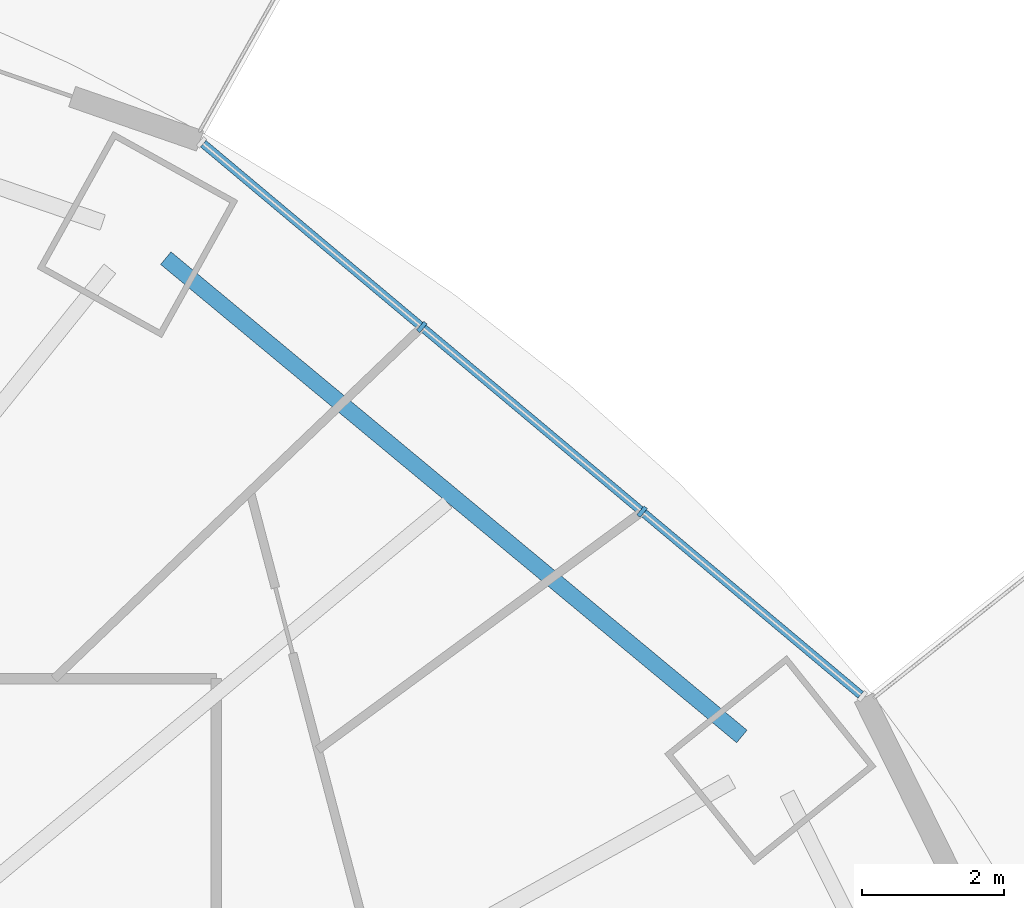
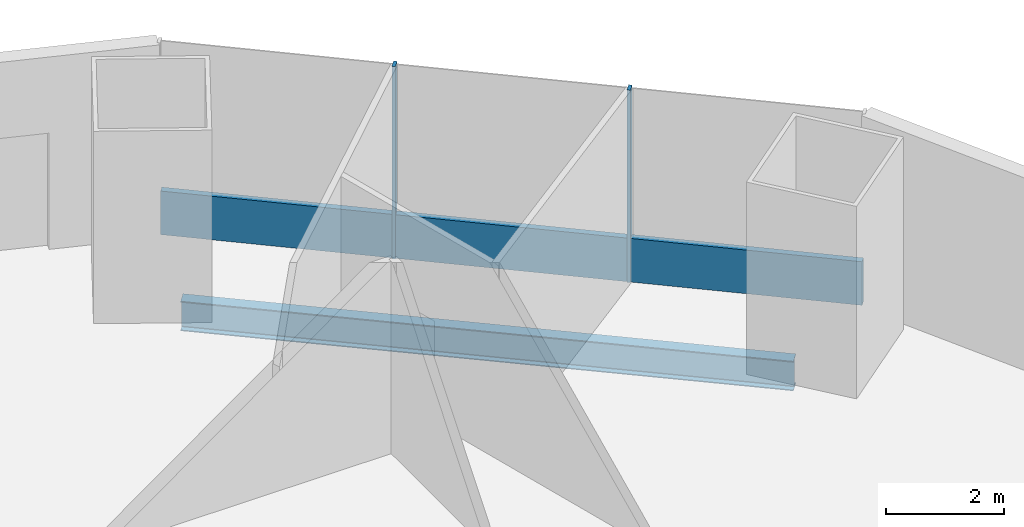
# One storey, part 10 of 21: 3 members, 1 beam, 1 element without a shape of its own.
"""IFC4 building model written with IfcOpenShell, lengths in metres."""

from ifc_helpers import new_model, si_unit, direction, frame, origin, origin_2d, place, context, subcontext, project, spatial, rectangle, i_section, extrude, material, material_profile, profile_set, type_object, element, aggregate, save


model = new_model("IFC4")

# Units and contexts
model_context = context("Model", 3, precision=1e-05, world=origin(), true_north=direction((0.0, 1.0)))
body_context = subcontext(model_context, "Body", "Model", "MODEL_VIEW")
ifc_project = project(units=[si_unit("LENGTHUNIT", "METRE"), si_unit("AREAUNIT", "SQUARE_METRE"), si_unit("VOLUMEUNIT", "CUBIC_METRE"), si_unit("PLANEANGLEUNIT", "RADIAN"), si_unit("MASSUNIT", "GRAM", prefix="KILO")], contexts=[model_context])

# Site, building, storey
site_placement = place(None, origin())
site = spatial("IfcSite", under=ifc_project, at=site_placement, CompositionType="ELEMENT")
building_placement = place(site_placement, origin())
building = spatial("IfcBuilding", under=site, at=building_placement, Name="Marenthal Gate Tower", CompositionType="ELEMENT")
storey_placement = place(building_placement, frame((0.0, 0.0, 120.14990234375)))
storey = spatial("IfcBuildingStorey", under=building, at=storey_placement, Name="L25", CompositionType="ELEMENT", Elevation=120.14990234375)

# Curtain wall, members
ifc_material_1 = material(Name="Aluminium and glass", Category="aluminium")
curtain_wall_type = type_object("IfcCurtainWallType", Name="Curtain wall typical low", PredefinedType="NOTDEFINED", material=ifc_material_1)
curtain_wall_placement = place(storey_placement, origin())
curtain_wall = element("IfcCurtainWall", 1, at=curtain_wall_placement, inside=storey, type_object=curtain_wall_type, Name="Curtain wall L25 bay 2", PredefinedType="NOTDEFINED")
ifc_material_2 = material(Name="Aluminium", Category="aluminium")
ifc_material_profile_1 = material_profile(ifc_material_2, rectangle(XDim=0.159912109375, YDim=0.06005859375, at=origin_2d()), Name="60x160 aluminium mullion")
ifc_profile_set_1 = profile_set([ifc_material_profile_1], Name="Aluminium")
member_type_1 = type_object("IfcMemberType", Name="Mullion 60x160 typical low", PredefinedType="MULLION", material=ifc_profile_set_1)
member_1_placement = place(storey_placement, frame((24.975830078125, 18.345947265625, 0.0), z_axis=(0.0, 0.0, 1.0), x_axis=(-0.642437868504, -0.766337774817, 0.0)))
member_1 = element("IfcMember", 2, at=member_1_placement, type_object=member_type_1, Name="Mullion L25 bay 2.2", PredefinedType="MULLION", context=body_context, shape_type="SweptSolid", body=[
    extrude(rectangle(XDim=0.159912109375, YDim=0.06005859375, at=origin_2d()), origin(), (0.0, 0.0, 1.0), 3.97021484375),
])
member_2_placement = place(storey_placement, frame((21.884033203125, 20.937744140625, 0.0), z_axis=(0.0, 0.0, 1.0), x_axis=(-0.642437868504, -0.766337774817, 0.0)))
member_2 = element("IfcMember", 3, at=member_2_placement, type_object=member_type_1, Name="Mullion L25 bay 2.3", PredefinedType="MULLION", context=body_context, shape_type="SweptSolid", body=[
    extrude(rectangle(XDim=0.159912109375, YDim=0.06005859375, at=origin_2d()), origin(), (0.0, 0.0, 1.0), 3.97021484375),
])
ifc_material_3 = material(Name="Aluminium", Category="aluminium")
ifc_material_profile_2 = material_profile(ifc_material_3, rectangle(XDim=0.1201171875, YDim=0.89990234375, at=origin_2d()), Name="120x900 aluminium transom")
ifc_profile_set_2 = profile_set([ifc_material_profile_2], Name="Aluminium")
member_type_2 = type_object("IfcMemberType", Name="Transom 120x900 typical low", PredefinedType="USERDEFINED", material=ifc_profile_set_2)
member_3_placement = place(storey_placement, frame((28.04443359375, 15.7734375, 0.4501953125), z_axis=(-0.766340278264, 0.642434882233, 0.0), x_axis=(-0.642434882233, -0.766340278264, 0.0)))
member_3 = element("IfcMember", 4, at=member_3_placement, type_object=member_type_2, Name="Transom L25 bay 2", ObjectType="TRANSOM", PredefinedType="USERDEFINED", context=body_context, shape_type="SweptSolid", body=[
    extrude(rectangle(XDim=0.1201171875, YDim=0.89990234375, at=origin_2d()), origin(), (0.0, 0.0, 1.0), 12.04296875),
])
aggregate(curtain_wall, [member_1, member_2, member_3])

# Beam
ifc_material_4 = material(Name="Steel S355", Category="steel")
ifc_material_profile_3 = material_profile(ifc_material_4, i_section(OverallWidth=0.22900390625, OverallDepth=0.612060546875, WebThickness=0.011962890625, FlangeThickness=0.01953125, FilletRadius=0.0126953125, at=origin_2d()), Name="W610X125")
ifc_profile_set_3 = profile_set([ifc_material_profile_3], Name="Steel S355")
beam_type = type_object("IfcBeamType", Name="W610X125 beam", PredefinedType="BEAM", material=ifc_profile_set_3)
beam_placement = place(storey_placement, frame((26.376220703125, 15.189697265625, -0.48583984375), z_axis=(-0.769335786628, 0.638844619148, 0.0), x_axis=(-0.638844619148, -0.769335786628, 0.0)))
element("IfcBeam", 5, at=beam_placement, inside=storey, type_object=beam_type, Name="BM-L25-42", PredefinedType="BEAM", context=body_context, shape_type="SweptSolid", body=[
    extrude(i_section(OverallWidth=0.22900390625, OverallDepth=0.612060546875, WebThickness=0.011962890625, FlangeThickness=0.01953125, FilletRadius=0.0126953125, at=origin_2d()), origin(), (0.0, 0.0, 1.0), 10.510986328125),
])

save(model, "model.ifc")
